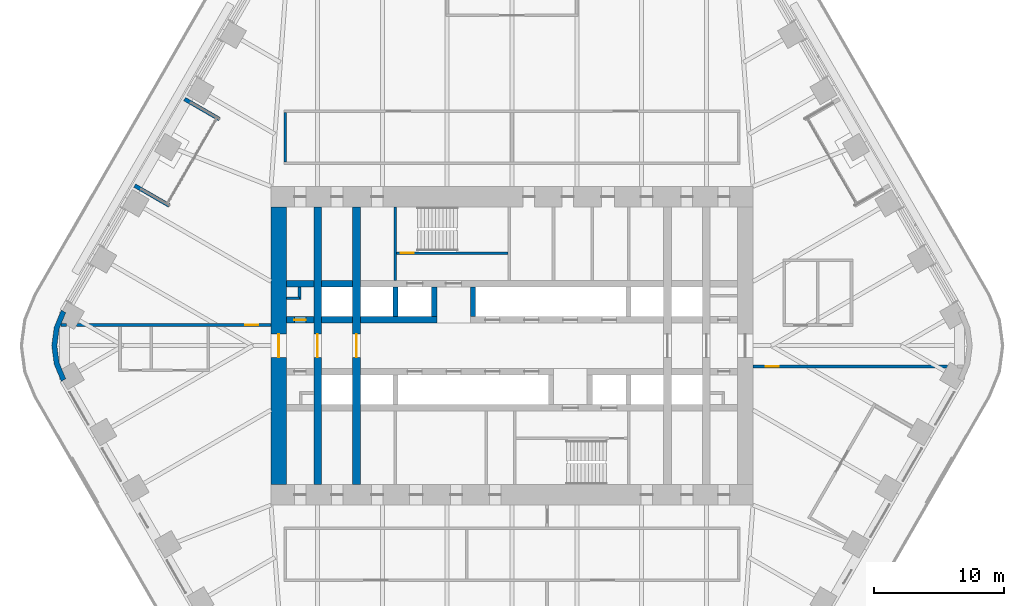
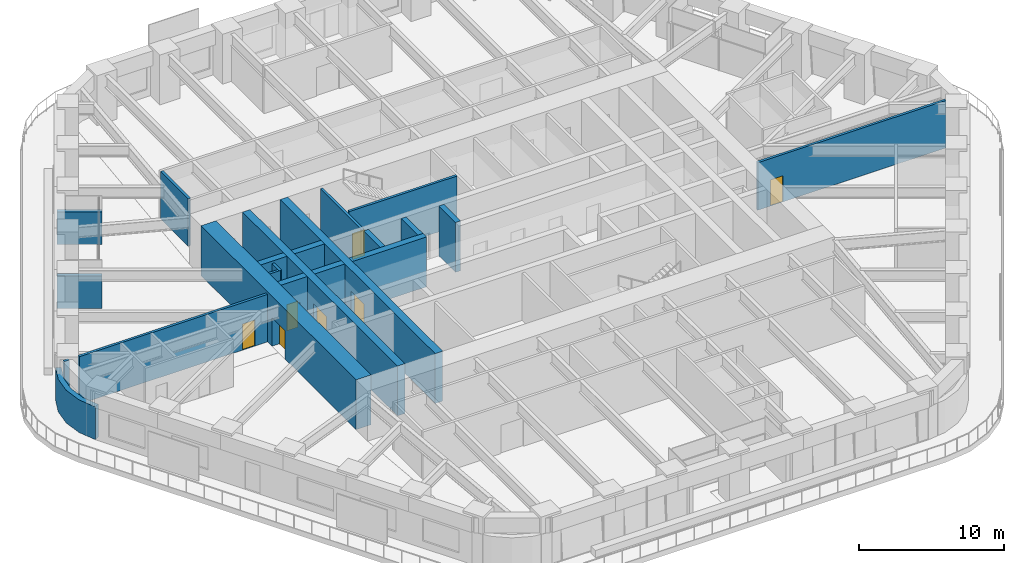
# One storey, part 19 of 24: 22 walls, 7 doors, 7 openings.
"""IFC4 building model written with IfcOpenShell, lengths in metres."""

import ifcopenshell
import ifcopenshell.guid

model = None  # the IFC model being written
_history = None  # IfcOwnerHistory: only IFC2X3 demands one
_inside = {}  # id of a spatial element -> (the spatial element, [elements in it])
_under = {}  # id of a project, library or spatial element -> (it, [spatial elements below it])
_declared = {}  # id of a project -> (the project, [libraries it declares])
_typed = {}  # id of a type object -> (the type object, [elements of that type])
_made_of = {}  # id of a material, layer set ... -> (it, [elements and type objects made of it])


def new_model(schema):
    """Start an empty IFC model of exactly this schema.

    Asked for "IFC4X3", IfcOpenShell would pick the latest addendum, in which some entities
    have other attributes; the version numbers below select the first issue.
    IFC2X3 requires an IfcOwnerHistory on every rooted entity: one is made here for all.
    """
    global model, _history
    if schema == "IFC4X3":
        model = ifcopenshell.file(schema_version=(4, 3, 0, 0))
    else:
        model = ifcopenshell.file(schema=schema)
    _inside.clear()
    _under.clear()
    _declared.clear()
    _typed.clear()
    _made_of.clear()
    _history = None
    if model.schema == "IFC2X3":
        org = make("IfcOrganization", Name="unknown")
        user = make(
            "IfcPersonAndOrganization",
            ThePerson=make("IfcPerson", FamilyName="unknown"),
            TheOrganization=org,
        )
        app = make(
            "IfcApplication",
            ApplicationDeveloper=org,
            Version="unknown",
            ApplicationFullName="unknown",
            ApplicationIdentifier="unknown",
        )
        _history = make(
            "IfcOwnerHistory",
            OwningUser=user,
            OwningApplication=app,
            ChangeAction="ADDED",
            CreationDate=0,
        )
    return model


def make(cls, **values):
    """One entity of the class cls with the attributes given. An attribute that is None is left unset."""
    return model.create_entity(
        cls, **{name: value for name, value in values.items() if value is not None}
    )


def rooted(cls, **values):
    """An entity with a GlobalId (a new one), such as an element, a storey or a relation."""
    return make(cls, GlobalId=ifcopenshell.guid.new(), OwnerHistory=_history, **values)


def si_unit(unit_type, name, prefix=None):
    """IfcSIUnit, for example si_unit("LENGTHUNIT", "METRE", prefix="MILLI")."""
    return make("IfcSIUnit", UnitType=unit_type, Prefix=prefix, Name=name)


def assignment(units):
    """IfcUnitAssignment: the units of a project."""
    return None if units is None else make("IfcUnitAssignment", Units=units)


def point(xyz):
    """IfcCartesianPoint."""
    return None if xyz is None else make("IfcCartesianPoint", Coordinates=xyz)


def direction(xyz):
    """IfcDirection."""
    return None if xyz is None else make("IfcDirection", DirectionRatios=xyz)


def frame(location, z_axis=None, x_axis=None):
    """IfcAxis2Placement3D, a coordinate frame: its origin and axes. An axis left out is left unset."""
    return make(
        "IfcAxis2Placement3D",
        Location=point(location),
        Axis=direction(z_axis),
        RefDirection=direction(x_axis),
    )


def frame_2d(location, x_axis=None):
    """IfcAxis2Placement2D, a coordinate frame in the plane: its origin and x axis."""
    return make(
        "IfcAxis2Placement2D", Location=point(location), RefDirection=direction(x_axis)
    )


def origin():
    """The frame at (0, 0, 0) with its axes left unset."""
    return frame((0.0, 0.0, 0.0))


def place(relative_to, where):
    """IfcLocalPlacement: puts the frame where relative to a parent placement (None: the world)."""
    return make(
        "IfcLocalPlacement", PlacementRelTo=relative_to, RelativePlacement=where
    )


def context(
    kind, dimensions, precision=None, world=None, true_north=None, identifier=None
):
    """IfcGeometricRepresentationContext, for example the 3D "Model" context."""
    return make(
        "IfcGeometricRepresentationContext",
        ContextIdentifier=identifier,
        ContextType=kind,
        CoordinateSpaceDimension=dimensions,
        Precision=precision,
        WorldCoordinateSystem=world,
        TrueNorth=true_north,
    )


def subcontext(parent, identifier, kind, view, scale=None):
    """IfcGeometricRepresentationSubContext, for example "Body" below "Model"."""
    return make(
        "IfcGeometricRepresentationSubContext",
        ContextIdentifier=identifier,
        ContextType=kind,
        ParentContext=parent,
        TargetScale=scale,
        TargetView=view,
    )


def project(units=None, contexts=None):
    """IfcProject with its units and contexts."""
    return rooted(
        "IfcProject",
        Name="project",
        RepresentationContexts=contexts,
        UnitsInContext=assignment(units),
    )


def spatial(cls, under=None, at=None, **own):
    """A site, building, storey or space (cls), placed at a placement, below another one or the project."""
    s = rooted(cls, ObjectPlacement=at, **own)
    if under is not None:
        _under.setdefault(under.id(), (under, []))[1].append(s)
    return s


def polyline(points):
    """IfcPolyline through the points."""
    return make("IfcPolyline", Points=[point(p) for p in points])


def profile(cls, at=None, kind="AREA", **sizes):
    """A parametric profile (cls). Its sizes go by their IFC names, for example OverallWidth=200.0."""
    return make(cls, ProfileType=kind, Position=at, **sizes)


def rectangle(**sizes):
    """IfcRectangleProfileDef."""
    return profile("IfcRectangleProfileDef", **sizes)


def outline(outer, holes=None, kind="AREA"):
    """IfcArbitraryClosedProfileDef: a profile drawn as a closed curve; with holes, ...WithVoids."""
    if holes is None:
        return make("IfcArbitraryClosedProfileDef", ProfileType=kind, OuterCurve=outer)
    return make(
        "IfcArbitraryProfileDefWithVoids",
        ProfileType=kind,
        OuterCurve=outer,
        InnerCurves=holes,
    )


def extrude(swept, where, along, depth):
    """IfcExtrudedAreaSolid: the profile swept, set in the frame where, extruded along a direction by depth."""
    return make(
        "IfcExtrudedAreaSolid",
        SweptArea=swept,
        Position=where,
        ExtrudedDirection=direction(along),
        Depth=depth,
    )


def shape(context_of_items, identifier, shape_type, items):
    """IfcShapeRepresentation: the items that make up one representation, for example the "Body"."""
    return make(
        "IfcShapeRepresentation",
        ContextOfItems=context_of_items,
        RepresentationIdentifier=identifier,
        RepresentationType=shape_type,
        Items=items,
    )


def material(Name=None, Category=None):
    """IfcMaterial."""
    return make("IfcMaterial", Name=Name, Category=Category)


def layer(
    of_material, thickness, ventilated=None, Name=None, Category=None, Priority=None
):
    """IfcMaterialLayer: one layer of a wall or slab, of a material (None: an air gap)."""
    return make(
        "IfcMaterialLayer",
        Material=of_material,
        LayerThickness=thickness,
        IsVentilated=ventilated,
        Name=Name,
        Category=Category,
        Priority=Priority,
    )


def layer_set(layers, Name=None):
    """IfcMaterialLayerSet."""
    return make("IfcMaterialLayerSet", MaterialLayers=layers, LayerSetName=Name)


def made_of(thing, what):
    """Note that an element or type object is made of a material, layer set ...; save() writes the relation."""
    if what is not None:
        _made_of.setdefault(what.id(), (what, []))[1].append(thing)
    return thing


def type_object(cls, material=None, **own):
    """A type object (cls), such as IfcWallType, which elements share."""
    return made_of(rooted(cls, **own), material)


def element(
    cls,
    number,
    at=None,
    inside=None,
    cuts=None,
    type_object=None,
    material=None,
    context=None,
    identifier="Body",
    shape_type=None,
    held_by="IfcProductDefinitionShape",
    body=None,
    shapes=None,
    **own,
):
    """One element of the class cls, such as IfcWall. Its Tag is "e" and its number.

    at: its placement. inside: the storey or other place that contains it. cuts: it is an
    opening in that element (IfcRelVoidsElement). A single representation is given by context,
    identifier, shape_type and body (its items); several are given by shapes. held_by: the class
    of the entity that holds the representations. save() writes the other relations.
    """
    e = rooted(cls, Tag="e%d" % number, ObjectPlacement=at, **own)
    if body is not None:
        shapes = [shape(context, identifier, shape_type, body)]
    if shapes is not None:
        e.Representation = make(held_by, Representations=shapes)
    if inside is not None:
        _inside.setdefault(inside.id(), (inside, []))[1].append(e)
    if cuts is not None:
        rooted(
            "IfcRelVoidsElement", RelatingBuildingElement=cuts, RelatedOpeningElement=e
        )
    if type_object is not None:
        _typed.setdefault(type_object.id(), (type_object, []))[1].append(e)
    return made_of(e, material)


def fill(opening, filler):
    """IfcRelFillsElement: the door or window that sits in an opening."""
    return rooted(
        "IfcRelFillsElement",
        RelatingOpeningElement=opening,
        RelatedBuildingElement=filler,
    )


def aggregate(whole, parts):
    """IfcRelAggregates: a whole, such as a stair, and the parts it consists of."""
    return rooted("IfcRelAggregates", RelatingObject=whole, RelatedObjects=parts)


def save(model, path):
    """Write the relations noted so far, then the file.

    IfcRelAggregates (storeys below a building ...), IfcRelContainedInSpatialStructure (elements
    in a storey), IfcRelDefinesByType, IfcRelAssociatesMaterial and IfcRelDeclares: one each for
    every whole, place, type object, material and project.
    """
    for whole, parts in _under.values():
        aggregate(whole, parts)
    for where, things in _inside.values():
        rooted(
            "IfcRelContainedInSpatialStructure",
            RelatedElements=things,
            RelatingStructure=where,
        )
    for kind, things in _typed.values():
        rooted("IfcRelDefinesByType", RelatedObjects=things, RelatingType=kind)
    for what, things in _made_of.values():
        rooted("IfcRelAssociatesMaterial", RelatedObjects=things, RelatingMaterial=what)
    for by, libraries in _declared.values():
        rooted("IfcRelDeclares", RelatingContext=by, RelatedDefinitions=libraries)
    model.write(path)


model = new_model("IFC4")

# Units and contexts
model_context = context("Model", 3, precision=1e-05, world=origin(), true_north=direction((0.0, 1.0)))
body_context = subcontext(model_context, "Body", "Model", "MODEL_VIEW")
ifc_project = project(units=[si_unit("LENGTHUNIT", "METRE"), si_unit("AREAUNIT", "SQUARE_METRE"), si_unit("VOLUMEUNIT", "CUBIC_METRE"), si_unit("PLANEANGLEUNIT", "RADIAN"), si_unit("MASSUNIT", "GRAM", prefix="KILO")], contexts=[model_context])

# Site, building, storey
site_placement = place(None, origin())
site = spatial("IfcSite", under=ifc_project, at=site_placement, CompositionType="ELEMENT")
building_placement = place(site_placement, origin())
building = spatial("IfcBuilding", under=site, at=building_placement, Name="Tarfa Lantern Tower", CompositionType="ELEMENT")
storey_placement = place(building_placement, frame((0.0, 0.0, 153.10009765625)))
storey = spatial("IfcBuildingStorey", under=building, at=storey_placement, Name="L34", CompositionType="ELEMENT", Elevation=153.10009765625)

# Walls
ifc_material_1 = material(Name="Limestone cladding on blockwork", Category="masonry")
ifc_layer_1 = layer(ifc_material_1, 0.300048828125)
ifc_layer_set_1 = layer_set([ifc_layer_1], Name="EW1 STONE-CLAD WALL 300")
wall_type_1 = type_object("IfcWallType", Name="EW1 STONE-CLAD WALL 300", PredefinedType="SOLIDWALL", material=ifc_layer_set_1)
wall_1_placement = place(storey_placement, frame((-25.266357421875, 19.037353515625, 0.0), z_axis=(0.0, 0.0, 1.0), x_axis=(0.86600983753, -0.500026960575, 0.0)))
element("IfcWall", 1, at=wall_1_placement, inside=storey, type_object=wall_type_1, Name="Loggia return NW 1", PredefinedType="SOLIDWALL", context=body_context, shape_type="SweptSolid", body=[
    extrude(rectangle(XDim=3.099853515625, YDim=0.300048828125, at=frame_2d((1.5498046875, 0.0))), origin(), (0.0, 0.0, 1.0), 2.75),
])
wall_2_placement = place(storey_placement, frame((-29.1201171875, 12.362548828125, 0.0), z_axis=(0.0, 0.0, 1.0), x_axis=(0.86602952684, -0.49999285859, 0.0)))
element("IfcWall", 2, at=wall_2_placement, inside=storey, type_object=wall_type_1, Name="Loggia return NW 2", PredefinedType="SOLIDWALL", context=body_context, shape_type="SweptSolid", body=[
    extrude(rectangle(XDim=3.10009765625, YDim=0.300048828125, at=frame_2d((1.550048828125, 0.0))), origin(), (0.0, 0.0, 1.0), 2.75),
])
ifc_layer_2 = layer(ifc_material_1, 0.39990234375)
ifc_layer_set_2 = layer_set([ifc_layer_2], Name="EW2 CURVED STONE CORNER 400")
wall_type_2 = type_object("IfcWallType", Name="EW2 CURVED STONE CORNER 400", PredefinedType="SOLIDWALL", material=ifc_layer_set_2)
wall_3_placement = place(storey_placement, origin())
element("IfcWall", 3, at=wall_3_placement, inside=storey, type_object=wall_type_2, Name="Stone corner NW-SW", PredefinedType="SOLIDWALL", context=body_context, shape_type="SweptSolid", body=[
    extrude(outline(polyline([(-34.785400390625, 2.75), (-35.334716796875, 1.423583984375), (-35.522216796875, 0.0), (-35.334716796875, -1.423583984375), (-34.785400390625, -2.75), (-34.43896484375, -2.550048828125), (-34.948486328125, -1.320068359375), (-35.122314453125, 0.0), (-34.948486328125, 1.320068359375), (-34.43896484375, 2.550048828125), (-34.785400390625, 2.75)])), origin(), (0.0, 0.0, 1.0), 2.75),
])
ifc_material_2 = material(Name="Concrete blockwork", Category="masonry")
ifc_layer_3 = layer(ifc_material_2, 0.199951171875)
ifc_layer_set_3 = layer_set([ifc_layer_3], Name="IW1 BLOCKWORK PARTITION 200 EI 120")
wall_type_3 = type_object("IfcWallType", Name="IW1 BLOCKWORK PARTITION 200 EI 120", PredefinedType="PARTITIONING", material=ifc_layer_set_3)
wall_4_placement = place(storey_placement, frame((-9.0, 5.050048828125, 0.0), z_axis=(0.0, 0.0, 1.0), x_axis=(0.0, 1.0, 0.0)))
element("IfcWall", 4, at=wall_4_placement, inside=storey, type_object=wall_type_3, Name="Core partition", PredefinedType="PARTITIONING", context=body_context, shape_type="SweptSolid", body=[
    extrude(rectangle(XDim=5.64990234375, YDim=0.199951171875, at=frame_2d((2.824951171875, 0.0))), origin(), (0.0, 0.0, 1.0), 4.0),
])
for number, where, z_axis, x_axis, name in (
    (5, (-17.39990234375, 3.64990234375, 0.0), (0.0, 0.0, 1.0), (1.0, 0.0, 0.0), "Core partition"),
    (6, (-16.39990234375, 3.550048828125, 0.0), (0.0, 0.0, 1.0), (0.0, 1.0, 0.0), "Core partition"),
):
    element("IfcWall", number, at=place(storey_placement, frame(where, z_axis=z_axis, x_axis=x_axis)), inside=storey, type_object=wall_type_3, Name=name, PredefinedType="PARTITIONING", context=body_context, shape_type="SweptSolid", body=[
        extrude(rectangle(XDim=1.0, YDim=0.199951171875, at=frame_2d((0.5, 0.0))), origin(), (0.0, 0.0, 1.0), 4.0),
    ])
ifc_material_3 = material(Name="Gypsum board on steel studs", Category="steel")
ifc_layer_4 = layer(ifc_material_3, 0.2099609375)
ifc_layer_set_4 = layer_set([ifc_layer_4], Name="IW2 ACOUSTIC PARTITION 200")
wall_type_4 = type_object("IfcWallType", Name="IW2 ACOUSTIC PARTITION 200", PredefinedType="PARTITIONING", material=ifc_layer_set_4)
wall_5_placement = place(storey_placement, frame((-17.5, 14.199951171875, 0.0), z_axis=(0.0, 0.0, 1.0), x_axis=(0.0, 1.0, 0.0)))
element("IfcWall", 7, at=wall_5_placement, inside=storey, type_object=wall_type_4, Name="Partition", PredefinedType="PARTITIONING", context=body_context, shape_type="SweptSolid", body=[
    extrude(rectangle(XDim=3.800048828125, YDim=0.199951171875, at=frame_2d((1.89990234375, 0.0))), origin(), (0.0, 0.0, 1.0), 4.0),
])

# Wall, opening, door
wall_6_placement = place(storey_placement, frame((18.60009765625, -1.60009765625, 0.0), z_axis=(0.0, 0.0, 1.0), x_axis=(1.0, 0.0, 0.0)))
wall_6 = element("IfcWall", 8, at=wall_6_placement, inside=storey, type_object=wall_type_4, Name="Partition", PredefinedType="PARTITIONING", context=body_context, shape_type="SweptSolid", body=[
    extrude(rectangle(XDim=15.001708984375, YDim=0.199951171875, at=frame_2d((7.5009765625, 0.0))), origin(), (0.0, 0.0, 1.0), 4.0),
])
opening_1_placement = place(wall_6_placement, frame((1.000244140625, 0.0, 0.0)))
opening_1 = element("IfcOpeningElement", 9, at=opening_1_placement, cuts=wall_6, Name="Opening D45", PredefinedType="OPENING", context=body_context, shape_type="SweptSolid", body=[
    extrude(rectangle(XDim=1.0, YDim=2.199951171875, at=frame_2d((0.5, 1.10009765625))), frame((0.0, 0.10986328125, 0.0), z_axis=(0.0, -1.0, 0.0), x_axis=(1.0, 0.0, 0.0)), (0.0, 0.0, 1.0), 0.219970703125),
])
ifc_material_4 = material(Name="Timber door", Category="wood")
door_type_1 = type_object("IfcDoorType", Name="DR1 ROOM DOOR 1000x2200", OperationType="SINGLE_SWING_LEFT", PredefinedType="DOOR", material=ifc_material_4)
door_1_placement = place(opening_1_placement, frame((1.0, 0.0, 0.0), z_axis=(0.0, 0.0, 1.0), x_axis=(-1.0, 0.0, 0.0)))
door_1 = element("IfcDoor", 10, at=door_1_placement, inside=storey, type_object=door_type_1, Name="Zone door", OperationType="SINGLE_SWING_LEFT", OverallHeight=2.199951171875, OverallWidth=1.0, PredefinedType="DOOR", context=body_context, shape_type="SweptSolid", body=[
    extrude(rectangle(XDim=1.0, YDim=2.199951171875, at=frame_2d((0.5, 1.10009765625))), frame((0.0, 0.02490234375, 0.0), z_axis=(0.0, -1.0, 0.0), x_axis=(1.0, 0.0, 0.0)), (0.0, 0.0, 1.0), 0.050048828125),
])
fill(opening_1, door_1)

wall_7_placement = place(storey_placement, frame((-18.60009765625, 1.60009765625, 0.0), z_axis=(0.0, 0.0, 1.0), x_axis=(-1.0, 0.0, 0.0)))
wall_7 = element("IfcWall", 11, at=wall_7_placement, inside=storey, type_object=wall_type_4, Name="Partition", PredefinedType="PARTITIONING", context=body_context, shape_type="SweptSolid", body=[
    extrude(rectangle(XDim=15.001708984375, YDim=0.199951171875, at=frame_2d((7.5009765625, 0.0))), origin(), (0.0, 0.0, 1.0), 4.0),
])
opening_2_placement = place(wall_7_placement, frame((1.000244140625, 0.0, 0.0)))
opening_2 = element("IfcOpeningElement", 12, at=opening_2_placement, cuts=wall_7, Name="Opening D47", PredefinedType="OPENING", context=body_context, shape_type="SweptSolid", body=[
    extrude(rectangle(XDim=1.0, YDim=2.199951171875, at=frame_2d((0.5, 1.10009765625))), frame((0.0, 0.10986328125, 0.0), z_axis=(0.0, -1.0, 0.0), x_axis=(1.0, 0.0, 0.0)), (0.0, 0.0, 1.0), 0.219970703125),
])
door_2_placement = place(opening_2_placement, origin())
door_2 = element("IfcDoor", 13, at=door_2_placement, inside=storey, type_object=door_type_1, Name="Zone door", OperationType="SINGLE_SWING_RIGHT", OverallHeight=2.199951171875, OverallWidth=1.0, PredefinedType="DOOR", context=body_context, shape_type="SweptSolid", body=[
    extrude(rectangle(XDim=1.0, YDim=2.199951171875, at=frame_2d((0.5, 1.10009765625))), frame((0.0, 0.02490234375, 0.0), z_axis=(0.0, -1.0, 0.0), x_axis=(1.0, 0.0, 0.0)), (0.0, 0.0, 1.0), 0.050048828125),
])
fill(opening_2, door_2)

# Wall
wall_8_placement = place(storey_placement, frame((-34.3935546875, 1.60009765625, 0.0), z_axis=(0.0, 0.0, 1.0), x_axis=(-1.0, 0.0, 0.0)))
element("IfcWall", 14, at=wall_8_placement, inside=storey, type_object=wall_type_4, Name="Partition", PredefinedType="PARTITIONING", context=body_context, shape_type="SweptSolid", body=[
    extrude(rectangle(XDim=0.397705078125, YDim=0.199951171875, at=frame_2d((0.19873046875, 0.0))), origin(), (0.0, 0.0, 1.0), 4.0),
])

# Wall, opening, door
ifc_material_5 = material(Name="Concrete C80/95", Category="concrete")
ifc_layer_5 = layer(ifc_material_5, 1.199951171875)
ifc_layer_set_5 = layer_set([ifc_layer_5], Name="SW1 CORE WALL 1200")
wall_type_5 = type_object("IfcWallType", Name="SW1 CORE WALL 1200", PredefinedType="SHEAR", material=ifc_layer_set_5)
wall_9_placement = place(storey_placement, frame((-18.0, 10.699951171875, 0.0), z_axis=(0.0, 0.0, 1.0), x_axis=(0.0, -1.0, 0.0)))
wall_9 = element("IfcWall", 15, at=wall_9_placement, inside=storey, type_object=wall_type_5, Name="Core wall W", PredefinedType="SHEAR", context=body_context, shape_type="SweptSolid", body=[
    extrude(rectangle(XDim=21.39990234375, YDim=1.199951171875, at=frame_2d((10.699951171875, 0.0))), origin(), (0.0, 0.0, 1.0), 4.199951171875),
])
opening_3_placement = place(wall_9_placement, frame((9.800048828125, 0.0, 0.0)))
opening_3 = element("IfcOpeningElement", 16, at=opening_3_placement, cuts=wall_9, Name="Opening D16", PredefinedType="OPENING", context=body_context, shape_type="SweptSolid", body=[
    extrude(rectangle(XDim=1.800048828125, YDim=2.39990234375, at=frame_2d((0.89990234375, 1.199951171875))), frame((0.0, 0.60986328125, 0.0), z_axis=(0.0, -1.0, 0.0), x_axis=(1.0, 0.0, 0.0)), (0.0, 0.0, 1.0), 1.219970703125),
])
ifc_material_6 = material(Name="Steel fire door", Category="steel")
door_type_2 = type_object("IfcDoorType", Name="DL1 LOBBY DOOR 1800x2400", OperationType="DOUBLE_DOOR_SINGLE_SWING", PredefinedType="DOOR", material=ifc_material_6)
door_3_placement = place(opening_3_placement, frame((1.800048828125, 0.0, 0.0), z_axis=(0.0, 0.0, 1.0), x_axis=(-1.0, 0.0, 0.0)))
door_3 = element("IfcDoor", 17, at=door_3_placement, inside=storey, type_object=door_type_2, Name="Lift lobby door", OperationType="DOUBLE_DOOR_SINGLE_SWING", OverallHeight=2.39990234375, OverallWidth=1.800048828125, PredefinedType="DOOR", context=body_context, shape_type="SweptSolid", body=[
    extrude(rectangle(XDim=1.800048828125, YDim=2.39990234375, at=frame_2d((0.89990234375, 1.199951171875))), frame((0.0, 0.02490234375, 0.0), z_axis=(0.0, -1.0, 0.0), x_axis=(1.0, 0.0, 0.0)), (0.0, 0.0, 1.0), 0.050048828125),
])
fill(opening_3, door_3)

ifc_layer_6 = layer(ifc_material_5, 0.199951171875)
ifc_layer_set_6 = layer_set([ifc_layer_6], Name="SW12 CORE WALL 200")
wall_type_6 = type_object("IfcWallType", Name="SW12 CORE WALL 200", PredefinedType="SHEAR", material=ifc_layer_set_6)
wall_10_placement = place(storey_placement, frame((-8.89990234375, 7.14990234375, 0.0), z_axis=(0.0, 0.0, 1.0), x_axis=(1.0, 0.0, 0.0)))
wall_10 = element("IfcWall", 18, at=wall_10_placement, inside=storey, type_object=wall_type_6, Name="Core wall stair partition N", PredefinedType="SHEAR", context=body_context, shape_type="SweptSolid", body=[
    extrude(rectangle(XDim=8.599853515625, YDim=0.199951171875, at=frame_2d((4.2998046875, 0.0))), origin(), (0.0, 0.0, 1.0), 4.199951171875),
])
opening_4_placement = place(wall_10_placement, frame((0.300048828125, 0.0, 0.0)))
opening_4 = element("IfcOpeningElement", 19, at=opening_4_placement, cuts=wall_10, Name="Opening D27", PredefinedType="OPENING", context=body_context, shape_type="SweptSolid", body=[
    extrude(rectangle(XDim=1.0, YDim=2.199951171875, at=frame_2d((0.5, 1.10009765625))), frame((0.0, 0.10986328125, 0.0), z_axis=(0.0, -1.0, 0.0), x_axis=(1.0, 0.0, 0.0)), (0.0, 0.0, 1.0), 0.219970703125),
])
door_type_3 = type_object("IfcDoorType", Name="DF2 STAIR DOOR 1000x2200", OperationType="SINGLE_SWING_LEFT", PredefinedType="DOOR", material=ifc_material_6)
door_4_placement = place(opening_4_placement, origin())
door_4 = element("IfcDoor", 20, at=door_4_placement, inside=storey, type_object=door_type_3, Name="Stair door", OperationType="SINGLE_SWING_RIGHT", OverallHeight=2.199951171875, OverallWidth=1.0, PredefinedType="DOOR", context=body_context, shape_type="SweptSolid", body=[
    extrude(rectangle(XDim=1.0, YDim=2.199951171875, at=frame_2d((0.5, 1.10009765625))), frame((0.0, 0.02490234375, 0.0), z_axis=(0.0, -1.0, 0.0), x_axis=(1.0, 0.0, 0.0)), (0.0, 0.0, 1.0), 0.050048828125),
])
fill(opening_4, door_4)

ifc_layer_7 = layer(ifc_material_5, 0.5)
ifc_layer_set_7 = layer_set([ifc_layer_7], Name="SW5 CORE WALL 500")
wall_type_7 = type_object("IfcWallType", Name="SW5 CORE WALL 500", PredefinedType="SHEAR", material=ifc_layer_set_7)
wall_11_placement = place(storey_placement, frame((-17.39990234375, 2.0, 0.0), z_axis=(0.0, 0.0, 1.0), x_axis=(1.0, 0.0, 0.0)))
wall_11 = element("IfcWall", 21, at=wall_11_placement, inside=storey, type_object=wall_type_7, Name="Core wall lobby west N", PredefinedType="SHEAR", context=body_context, shape_type="SweptSolid", body=[
    extrude(rectangle(XDim=2.099853515625, YDim=0.5, at=frame_2d((1.0498046875, 0.0))), origin(), (0.0, 0.0, 1.0), 4.199951171875),
])
opening_5_placement = place(wall_11_placement, frame((0.60009765625, 0.0, 0.0)))
opening_5 = element("IfcOpeningElement", 22, at=opening_5_placement, cuts=wall_11, Name="Opening D19", PredefinedType="OPENING", context=body_context, shape_type="SweptSolid", body=[
    extrude(rectangle(XDim=0.89990234375, YDim=2.199951171875, at=frame_2d((0.449951171875, 1.10009765625))), frame((0.0, 0.260009765625, 0.0), z_axis=(0.0, -1.0, 0.0), x_axis=(1.0, 0.0, 0.0)), (0.0, 0.0, 1.0), 0.52001953125),
])
door_type_4 = type_object("IfcDoorType", Name="DF6 SERVICE ROOM DOOR 900x2200", OperationType="SINGLE_SWING_LEFT", PredefinedType="DOOR", material=ifc_material_6)
door_5_placement = place(opening_5_placement, origin())
door_5 = element("IfcDoor", 23, at=door_5_placement, inside=storey, type_object=door_type_4, Name="Service room door", OperationType="SINGLE_SWING_LEFT", OverallHeight=2.199951171875, OverallWidth=0.89990234375, PredefinedType="DOOR", context=body_context, shape_type="SweptSolid", body=[
    extrude(rectangle(XDim=0.89990234375, YDim=2.199951171875, at=frame_2d((0.449951171875, 1.10009765625))), frame((0.0, 0.02490234375, 0.0), z_axis=(0.0, -1.0, 0.0), x_axis=(1.0, 0.0, 0.0)), (0.0, 0.0, 1.0), 0.050048828125),
])
fill(opening_5, door_5)

# Walls
wall_12_placement = place(storey_placement, frame((-14.699951171875, 2.0, 0.0), z_axis=(0.0, 0.0, 1.0), x_axis=(1.0, 0.0, 0.0)))
element("IfcWall", 24, at=wall_12_placement, inside=storey, type_object=wall_type_7, Name="Core wall lobby west N", PredefinedType="SHEAR", context=body_context, shape_type="SweptSolid", body=[
    extrude(rectangle(XDim=2.39990234375, YDim=0.5, at=frame_2d((1.199951171875, 0.0))), origin(), (0.0, 0.0, 1.0), 4.199951171875),
])
wall_13_placement = place(storey_placement, frame((-11.699951171875, 2.0, 0.0), z_axis=(0.0, 0.0, 1.0), x_axis=(1.0, 0.0, 0.0)))
element("IfcWall", 25, at=wall_13_placement, inside=storey, type_object=wall_type_7, Name="Core wall lobby west N", PredefinedType="SHEAR", context=body_context, shape_type="SweptSolid", body=[
    extrude(rectangle(XDim=5.89990234375, YDim=0.5, at=frame_2d((2.949951171875, 0.0))), origin(), (0.0, 0.0, 1.0), 4.199951171875),
])
wall_14_placement = place(storey_placement, frame((-17.39990234375, 4.800048828125, 0.0), z_axis=(0.0, 0.0, 1.0), x_axis=(1.0, 0.0, 0.0)))
element("IfcWall", 26, at=wall_14_placement, inside=storey, type_object=wall_type_7, Name="Core wall rear N", PredefinedType="SHEAR", context=body_context, shape_type="SweptSolid", body=[
    extrude(rectangle(XDim=2.099853515625, YDim=0.5, at=frame_2d((1.0498046875, 0.0))), origin(), (0.0, 0.0, 1.0), 4.199951171875),
])
wall_15_placement = place(storey_placement, frame((-14.699951171875, 4.800048828125, 0.0), z_axis=(0.0, 0.0, 1.0), x_axis=(1.0, 0.0, 0.0)))
element("IfcWall", 27, at=wall_15_placement, inside=storey, type_object=wall_type_7, Name="Core wall rear N", PredefinedType="SHEAR", context=body_context, shape_type="SweptSolid", body=[
    extrude(rectangle(XDim=2.39990234375, YDim=0.5, at=frame_2d((1.199951171875, 0.0))), origin(), (0.0, 0.0, 1.0), 4.199951171875),
])
ifc_layer_8 = layer(ifc_material_5, 0.39990234375)
ifc_layer_set_8 = layer_set([ifc_layer_8], Name="SW6 CORE WALL 400")
wall_type_8 = type_object("IfcWallType", Name="SW6 CORE WALL 400", PredefinedType="SHEAR", material=ifc_layer_set_8)
for number, where, z_axis, x_axis, name in (
    (28, (-9.0, 2.25, 0.0), (0.0, 0.0, 1.0), (0.0, 1.0, 0.0), "Core wall divider N"),
    (29, (-6.0, 2.25, 0.0), (0.0, 0.0, 1.0), (0.0, 1.0, 0.0), "Core wall divider N"),
    (30, (-3.0, 2.25, 0.0), (0.0, 0.0, 1.0), (0.0, 1.0, 0.0), "Core wall divider N"),
):
    element("IfcWall", number, at=place(storey_placement, frame(where, z_axis=z_axis, x_axis=x_axis)), inside=storey, type_object=wall_type_8, Name=name, PredefinedType="SHEAR", context=body_context, shape_type="SweptSolid", body=[
        extrude(rectangle(XDim=2.300048828125, YDim=0.39990234375, at=frame_2d((1.14990234375, 0.0))), origin(), (0.0, 0.0, 1.0), 4.199951171875),
    ])

# Wall, opening, door
ifc_layer_9 = layer(ifc_material_5, 0.60009765625)
ifc_layer_set_9 = layer_set([ifc_layer_9], Name="SW9 CORE WALL 600")
wall_type_9 = type_object("IfcWallType", Name="SW9 CORE WALL 600", PredefinedType="SHEAR", material=ifc_layer_set_9)
wall_16_placement = place(storey_placement, frame((-12.0, -10.699951171875, 0.0), z_axis=(0.0, 0.0, 1.0), x_axis=(0.0, 1.0, 0.0)))
wall_16 = element("IfcWall", 31, at=wall_16_placement, inside=storey, type_object=wall_type_9, Name="Core wall cross 12 m west", PredefinedType="SHEAR", context=body_context, shape_type="SweptSolid", body=[
    extrude(rectangle(XDim=21.39990234375, YDim=0.60009765625, at=frame_2d((10.699951171875, 0.0))), origin(), (0.0, 0.0, 1.0), 4.199951171875),
])
opening_6_placement = place(wall_16_placement, frame((9.800048828125, 0.0, 0.0)))
opening_6 = element("IfcOpeningElement", 32, at=opening_6_placement, cuts=wall_16, Name="Opening D31", PredefinedType="OPENING", context=body_context, shape_type="SweptSolid", body=[
    extrude(rectangle(XDim=1.800048828125, YDim=2.39990234375, at=frame_2d((0.89990234375, 1.199951171875))), frame((0.0, 0.31005859375, 0.0), z_axis=(0.0, -1.0, 0.0), x_axis=(1.0, 0.0, 0.0)), (0.0, 0.0, 1.0), 0.6201171875),
])
door_6_placement = place(opening_6_placement, origin())
door_6 = element("IfcDoor", 33, at=door_6_placement, inside=storey, type_object=door_type_2, Name="Lift lobby door", OperationType="DOUBLE_DOOR_SINGLE_SWING", OverallHeight=2.39990234375, OverallWidth=1.800048828125, PredefinedType="DOOR", context=body_context, shape_type="SweptSolid", body=[
    extrude(rectangle(XDim=1.800048828125, YDim=2.39990234375, at=frame_2d((0.89990234375, 1.199951171875))), frame((0.0, 0.02490234375, 0.0), z_axis=(0.0, -1.0, 0.0), x_axis=(1.0, 0.0, 0.0)), (0.0, 0.0, 1.0), 0.050048828125),
])
fill(opening_6, door_6)

wall_17_placement = place(storey_placement, frame((-15.0, -10.699951171875, 0.0), z_axis=(0.0, 0.0, 1.0), x_axis=(0.0, 1.0, 0.0)))
wall_17 = element("IfcWall", 34, at=wall_17_placement, inside=storey, type_object=wall_type_9, Name="Core wall cross 15 m west", PredefinedType="SHEAR", context=body_context, shape_type="SweptSolid", body=[
    extrude(rectangle(XDim=21.39990234375, YDim=0.60009765625, at=frame_2d((10.699951171875, 0.0))), origin(), (0.0, 0.0, 1.0), 4.199951171875),
])
opening_7_placement = place(wall_17_placement, frame((9.800048828125, 0.0, 0.0)))
opening_7 = element("IfcOpeningElement", 35, at=opening_7_placement, cuts=wall_17, Name="Opening D32", PredefinedType="OPENING", context=body_context, shape_type="SweptSolid", body=[
    extrude(rectangle(XDim=1.800048828125, YDim=2.39990234375, at=frame_2d((0.89990234375, 1.199951171875))), frame((0.0, 0.31005859375, 0.0), z_axis=(0.0, -1.0, 0.0), x_axis=(1.0, 0.0, 0.0)), (0.0, 0.0, 1.0), 0.6201171875),
])
door_7_placement = place(opening_7_placement, origin())
door_7 = element("IfcDoor", 36, at=door_7_placement, inside=storey, type_object=door_type_2, Name="Lift lobby door", OperationType="DOUBLE_DOOR_SINGLE_SWING", OverallHeight=2.39990234375, OverallWidth=1.800048828125, PredefinedType="DOOR", context=body_context, shape_type="SweptSolid", body=[
    extrude(rectangle(XDim=1.800048828125, YDim=2.39990234375, at=frame_2d((0.89990234375, 1.199951171875))), frame((0.0, 0.02490234375, 0.0), z_axis=(0.0, -1.0, 0.0), x_axis=(1.0, 0.0, 0.0)), (0.0, 0.0, 1.0), 0.050048828125),
])
fill(opening_7, door_7)

save(model, "model.ifc")
